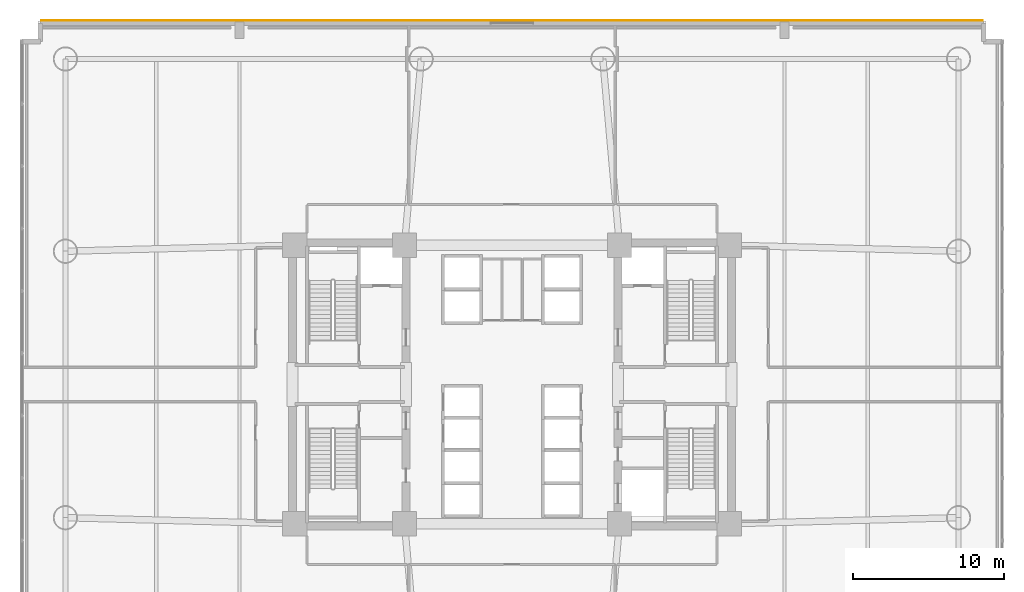
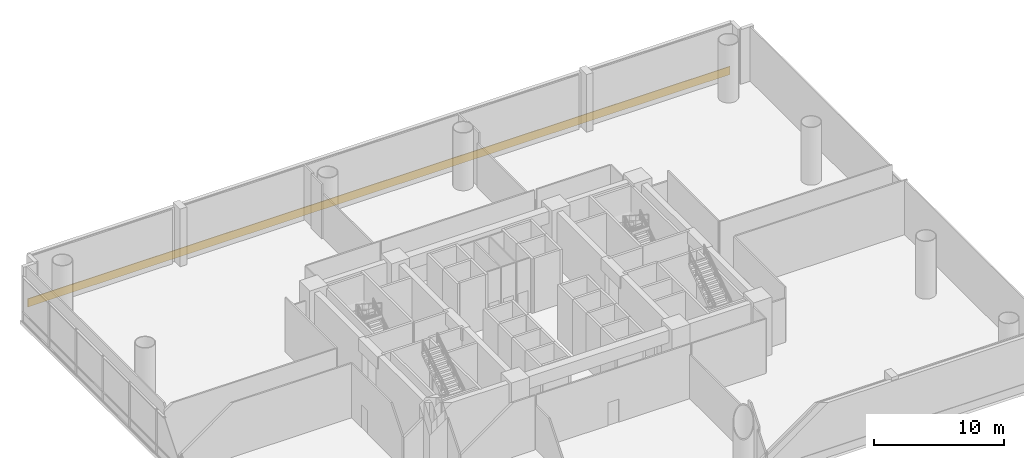
# One storey, part 15 of 15: 1 covering.
"""IFC4 building model written with IfcOpenShell, lengths in metres."""

from ifc_helpers import new_model, si_unit, direction, frame, origin, origin_2d, place, context, subcontext, project, spatial, rectangle, extrude, source, transform, mapped, material, layer, layer_set, type_object, element, save


model = new_model("IFC4")

# Units and contexts
model_context = context("Model", 3, precision=1e-05, world=origin(), true_north=direction((0.0, 1.0)))
body_context = subcontext(model_context, "Body", "Model", "MODEL_VIEW")
ifc_project = project(units=[si_unit("LENGTHUNIT", "METRE"), si_unit("AREAUNIT", "SQUARE_METRE"), si_unit("VOLUMEUNIT", "CUBIC_METRE"), si_unit("PLANEANGLEUNIT", "RADIAN"), si_unit("MASSUNIT", "GRAM", prefix="KILO")], contexts=[model_context])

# Site, building, storey
site_placement = place(None, origin())
site = spatial("IfcSite", under=ifc_project, at=site_placement, CompositionType="ELEMENT")
building_placement = place(site_placement, origin())
building = spatial("IfcBuilding", under=site, at=building_placement, Name="Zahravan Cultural Tower", CompositionType="ELEMENT")
storey_placement = place(building_placement, frame((0.0, 0.0, 7.199951171875)))
storey = spatial("IfcBuildingStorey", under=building, at=storey_placement, Name="L01", CompositionType="ELEMENT", Elevation=7.199951171875)

# Covering
ifc_material = material(Name="Terracotta ceramic cladding", Category="masonry")
ifc_layer = layer(ifc_material, 0.06005859375)
ifc_layer_set = layer_set([ifc_layer], Name="Terracotta ceramic cladding")
covering_type = type_object("IfcCoveringType", Name="COV-CLAD-TC60", PredefinedType="CLADDING", material=ifc_layer_set)
shared_shape = source(origin(), body_context, "Body", "SweptSolid", [
    extrude(rectangle(XDim=62.219970703125, YDim=0.06005859375, at=origin_2d()), origin(), (0.0, 0.0, 1.0), 0.760009765625),
])
covering_placement = place(storey_placement, frame((36.0, 51.044921875, 0.02001953125), z_axis=(0.0, 0.0, 1.0), x_axis=(1.0, 0.0, 0.0)))
element("IfcCovering", 1, at=covering_placement, inside=storey, type_object=covering_type, Name="L01 Terracotta Spandrel Cladding 08", PredefinedType="CLADDING", context=body_context, shape_type="MappedRepresentation", body=[
    mapped(shared_shape, transform((0.0, 0.0, 0.0), x_axis=(1.0, 0.0, 0.0), y_axis=(0.0, 1.0, 0.0), z_axis=(0.0, 0.0, 1.0), scale=1.0)),
])

save(model, "model.ifc")
